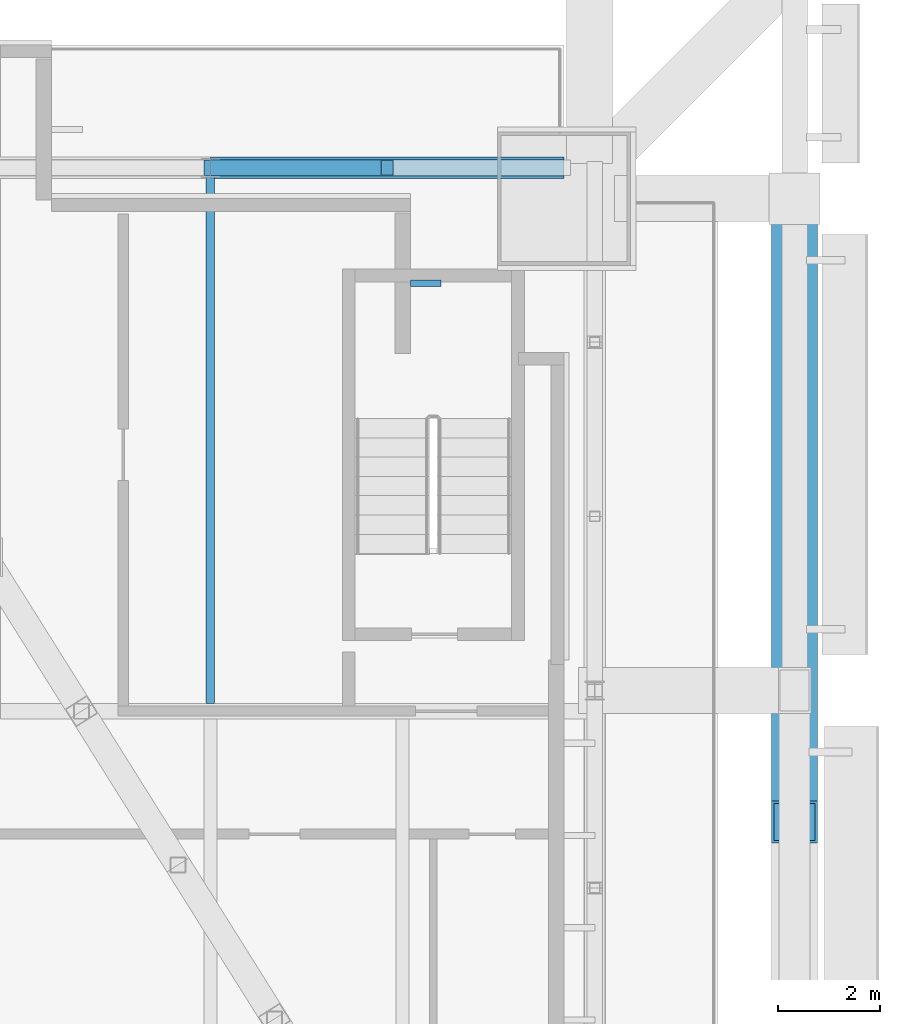
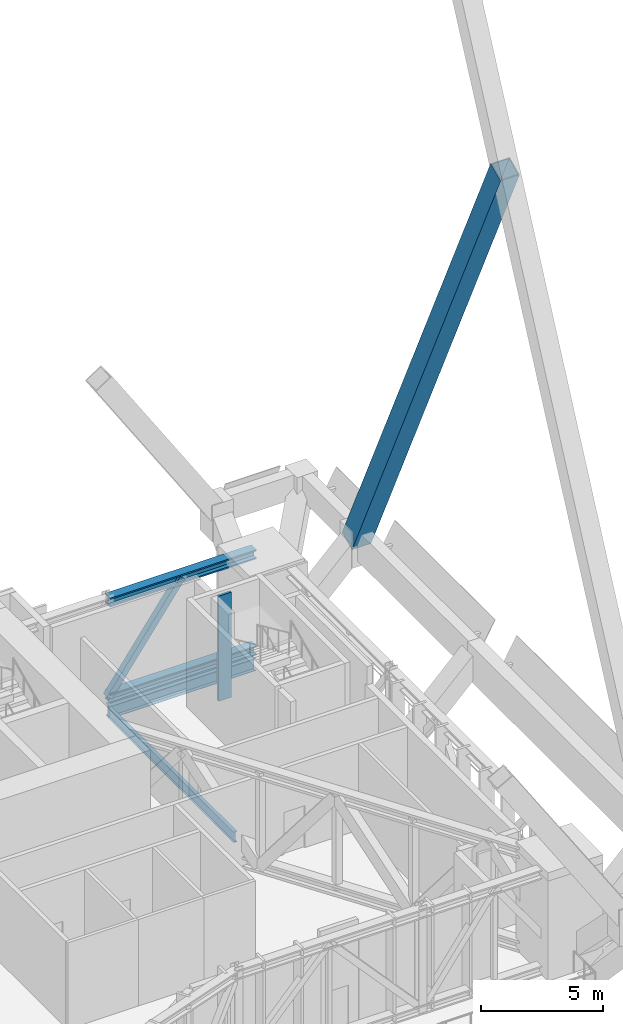
# One storey, part 17 of 31: 5 members, 2 beams, 1 element without a shape of its own.
"""IFC4 building model written with IfcOpenShell, lengths in metres."""

from ifc_helpers import new_model, si_unit, direction, frame, origin, origin_2d, place, context, subcontext, project, spatial, rectangle, hollow_rectangle, i_section, extrude, material, material_profile, profile_set, type_object, element, aggregate, save


model = new_model("IFC4")

# Units and contexts
model_context = context("Model", 3, precision=1e-05, world=origin(), true_north=direction((0.0, 1.0)))
body_context = subcontext(model_context, "Body", "Model", "MODEL_VIEW")
ifc_project = project(units=[si_unit("LENGTHUNIT", "METRE"), si_unit("AREAUNIT", "SQUARE_METRE"), si_unit("VOLUMEUNIT", "CUBIC_METRE"), si_unit("PLANEANGLEUNIT", "RADIAN"), si_unit("MASSUNIT", "GRAM", prefix="KILO")], contexts=[model_context])

# Site, building, storey
site_placement = place(None, origin())
site = spatial("IfcSite", under=ifc_project, at=site_placement, CompositionType="ELEMENT")
building_placement = place(site_placement, origin())
building = spatial("IfcBuilding", under=site, at=building_placement, Name="Bicima Exchange Tower", CompositionType="ELEMENT")
storey_placement = place(building_placement, frame((0.0, 0.0, 236.0)))
storey = spatial("IfcBuildingStorey", under=building, at=storey_placement, Name="L53", CompositionType="ELEMENT", Elevation=236.0)

# Curtain wall, member
ifc_material_1 = material(Name="Anodised bronze aluminium", Category="aluminium")
curtain_wall_type = type_object("IfcCurtainWallType", Name="Band blade screen", PredefinedType="NOTDEFINED", material=ifc_material_1)
curtain_wall_placement = place(storey_placement, origin())
curtain_wall = element("IfcCurtainWall", 1, at=curtain_wall_placement, inside=storey, type_object=curtain_wall_type, Name="Band blade screen L53", PredefinedType="NOTDEFINED")
ifc_material_profile_1 = material_profile(ifc_material_1, rectangle(XDim=0.60009765625, YDim=0.1201171875, at=origin_2d()))
ifc_profile_set_1 = profile_set([ifc_material_profile_1], Name="Anodised bronze aluminium")
member_type_1 = type_object("IfcMemberType", Name="Band blade fin 600 x 120", PredefinedType="USERDEFINED", material=ifc_profile_set_1)
member_1_placement = place(storey_placement, frame((30.300048828125, -4.64990234375, 0.0), z_axis=(0.0, 0.0, 1.0), x_axis=(-1.0, 0.0, 0.0)))
member_1 = element("IfcMember", 2, at=member_1_placement, type_object=member_type_1, Name="Band blade fin 7", ObjectType="FIN", PredefinedType="USERDEFINED", context=body_context, shape_type="SweptSolid", body=[
    extrude(rectangle(XDim=0.60009765625, YDim=0.1201171875, at=origin_2d()), origin(), (0.0, 0.0, 1.0), 5.25),
])
aggregate(curtain_wall, [member_1])

# Members
ifc_material_2 = material(Name="Steel ASTM A992 Gr 50", Category="steel")
ifc_material_profile_2 = material_profile(ifc_material_2, i_section(OverallWidth=0.419189453125, OverallDepth=0.45458984375, WebThickness=0.042236328125, FlangeThickness=0.067626953125, at=origin_2d()))
ifc_profile_set_2 = profile_set([ifc_material_profile_2], Name="Steel ASTM A992 Gr 50")
member_type_2 = type_object("IfcMemberType", Name="Belt truss chord W14x370", PredefinedType="CHORD", material=ifc_profile_set_2)
for number, where, z_axis, x_axis, name in (
    (3, (26.10009765625, -2.39990234375, 5.022705078125), (1.0, 0.0, 0.0), (0.0, 1.0, 0.0), "Top chord"),
    (4, (26.10009765625, -2.39990234375, 0.227294921875), (1.0, 0.0, 0.0), (0.0, 1.0, 0.0), "Bottom chord"),
):
    element("IfcMember", number, at=place(storey_placement, frame(where, z_axis=z_axis, x_axis=x_axis)), inside=storey, type_object=member_type_2, Name=name, PredefinedType="CHORD", context=body_context, shape_type="SweptSolid", body=[
        extrude(i_section(OverallWidth=0.419189453125, OverallDepth=0.45458984375, WebThickness=0.042236328125, FlangeThickness=0.067626953125, at=origin_2d()), origin(), (0.0, 0.0, 1.0), 6.89990234375),
    ])
ifc_material_3 = material(Name="Steel ASTM A572 Gr 50", Category="steel")
ifc_material_profile_3 = material_profile(ifc_material_3, hollow_rectangle(XDim=0.3046875, YDim=0.3046875, WallThickness=0.01171875, at=origin_2d()))
ifc_profile_set_3 = profile_set([ifc_material_profile_3], Name="Steel ASTM A572 Gr 50")
member_type_3 = type_object("IfcMemberType", Name="Belt truss diagonal HSS12x12x1/2", PredefinedType="STRUT", material=ifc_profile_set_3)
member_2_placement = place(storey_placement, frame((26.10009765625, -2.39990234375, 0.227294921875), z_axis=(0.583998756388, 0.0, 0.811754551905), x_axis=(0.0, 1.0, 0.0)))
element("IfcMember", 5, at=member_2_placement, inside=storey, type_object=member_type_3, Name="Truss diagonal", PredefinedType="STRUT", context=body_context, shape_type="SweptSolid", body=[
    extrude(hollow_rectangle(XDim=0.3046875, YDim=0.3046875, WallThickness=0.01171875, at=origin_2d()), origin(), (0.0, 0.0, 1.0), 5.907470703125),
])
ifc_material_profile_4 = material_profile(ifc_material_3, hollow_rectangle(XDim=0.89990234375, YDim=0.89990234375, WallThickness=0.050048828125, at=origin_2d()))
ifc_profile_set_4 = profile_set([ifc_material_profile_4], Name="Steel ASTM A572 Gr 50")
member_type_4 = type_object("IfcMemberType", Name="Exo mega brace BOX 900x900x50", PredefinedType="BRACE", material=ifc_profile_set_4)
member_3_placement = place(storey_placement, frame((37.5, -3.0, 4.5), z_axis=(0.0, -0.426460147734, 0.904506352877), x_axis=(1.0, 0.0, 0.0)))
element("IfcMember", 6, at=member_3_placement, inside=storey, type_object=member_type_4, Name="Exo mega brace end", PredefinedType="BRACE", context=body_context, shape_type="SweptSolid", body=[
    extrude(hollow_rectangle(XDim=0.89990234375, YDim=0.89990234375, WallThickness=0.050048828125, at=origin_2d()), origin(), (0.0, 0.0, 1.0), 28.52392578125),
])

# Beams
ifc_material_profile_5 = material_profile(ifc_material_2, i_section(OverallWidth=0.165771484375, OverallDepth=0.5283203125, WebThickness=0.009765625, FlangeThickness=0.013671875, at=origin_2d()))
ifc_profile_set_5 = profile_set([ifc_material_profile_5], Name="Steel ASTM A992 Gr 50")
beam_type_1 = type_object("IfcBeamType", Name="Floor beam W21x50", PredefinedType="JOIST", material=ifc_profile_set_5)
beam_1_placement = place(storey_placement, frame((26.10009765625, -2.5625, -0.464111328125), z_axis=(0.0, -1.0, 0.0), x_axis=(1.0, 0.0, 0.0)))
element("IfcBeam", 7, at=beam_1_placement, inside=storey, type_object=beam_type_1, Name="Floor beam", PredefinedType="JOIST", context=body_context, shape_type="SweptSolid", body=[
    extrude(i_section(OverallWidth=0.165771484375, OverallDepth=0.5283203125, WebThickness=0.009765625, FlangeThickness=0.013671875, at=origin_2d()), origin(), (0.0, 0.0, 1.0), 10.28515625),
])
ifc_material_profile_6 = material_profile(ifc_material_2, i_section(OverallWidth=0.3251953125, OverallDepth=0.612060546875, WebThickness=0.0126953125, FlangeThickness=0.01904296875, at=origin_2d()))
ifc_profile_set_6 = profile_set([ifc_material_profile_6], Name="Steel ASTM A992 Gr 50")
beam_type_2 = type_object("IfcBeamType", Name="Rear girder W24x104", PredefinedType="BEAM", material=ifc_profile_set_6)
beam_2_placement = place(storey_placement, frame((26.10009765625, -2.39990234375, -0.506103515625), z_axis=(1.0, 0.0, 0.0), x_axis=(0.0, 1.0, 0.0)))
element("IfcBeam", 8, at=beam_2_placement, inside=storey, type_object=beam_type_2, Name="Rear girder", PredefinedType="BEAM", context=body_context, shape_type="SweptSolid", body=[
    extrude(i_section(OverallWidth=0.3251953125, OverallDepth=0.612060546875, WebThickness=0.0126953125, FlangeThickness=0.01904296875, at=origin_2d()), origin(), (0.0, 0.0, 1.0), 6.89990234375),
])

save(model, "model.ifc")
